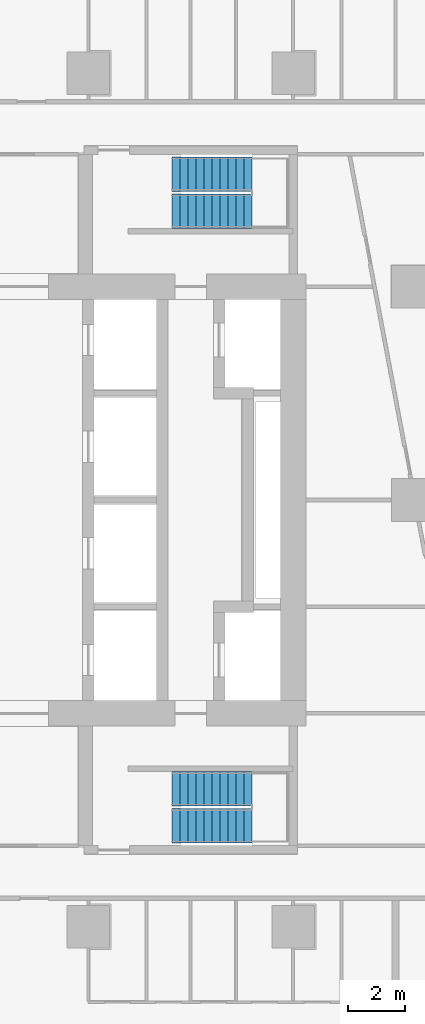
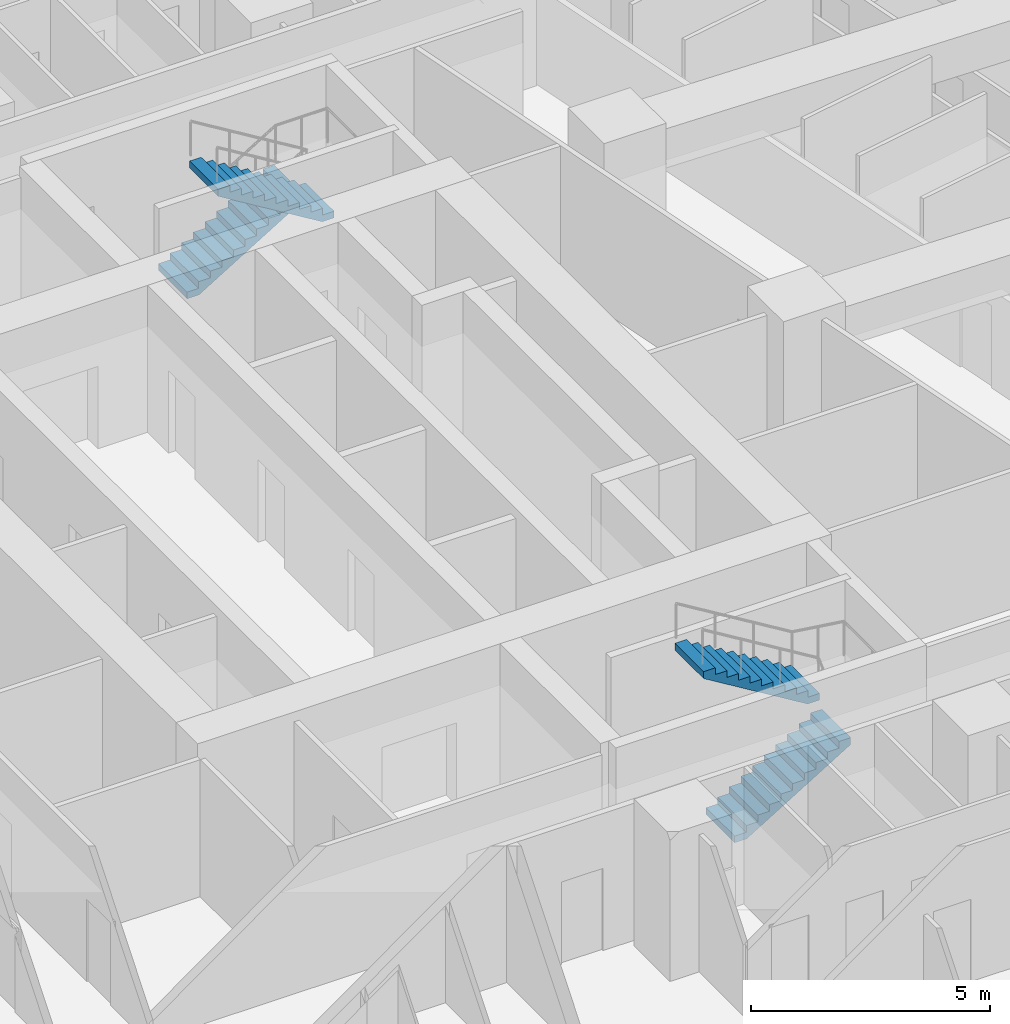
# One storey, part 13 of 15: 4 stair flights, 2 elements without a shape of their own.
"""IFC4 building model written with IfcOpenShell, lengths in metres."""

from ifc_helpers import new_model, si_unit, direction, frame, origin, place, context, subcontext, project, spatial, triangles, material, type_object, element, aggregate, save


model = new_model("IFC4")

# Units and contexts
model_context = context("Model", 3, precision=1e-05, world=origin(), true_north=direction((0.0, 1.0)))
body_context = subcontext(model_context, "Body", "Model", "MODEL_VIEW")
ifc_project = project(units=[si_unit("LENGTHUNIT", "METRE"), si_unit("AREAUNIT", "SQUARE_METRE"), si_unit("VOLUMEUNIT", "CUBIC_METRE"), si_unit("PLANEANGLEUNIT", "RADIAN"), si_unit("MASSUNIT", "GRAM", prefix="KILO")], contexts=[model_context])

# Site, building, storey
site_placement = place(None, origin())
site = spatial("IfcSite", under=ifc_project, at=site_placement, CompositionType="ELEMENT")
building_placement = place(site_placement, origin())
building = spatial("IfcBuilding", under=site, at=building_placement, Name="Sheger Commons Tower", CompositionType="ELEMENT")
storey_placement = place(building_placement, frame((0.0, 0.0, 143.300048828125)))
storey = spatial("IfcBuildingStorey", under=building, at=storey_placement, Name="L36", CompositionType="ELEMENT", Elevation=143.300048828125)

# Stair, stair flights
ifc_material_1 = material(Name="Concrete C35/45", Category="concrete")
stair_type = type_object("IfcStairType", Name="HALF-TURN STAIR 1200 RISE 3750", PredefinedType="HALF_TURN_STAIR", material=ifc_material_1)
stair_1_placement = place(storey_placement, origin())
stair_1 = element("IfcStair", 1, at=stair_1_placement, inside=storey, type_object=stair_type, Name="Stair S1 L36", PredefinedType="HALF_TURN_STAIR")
ifc_material_2 = material(Name="Concrete C35/45", Category="concrete")
stair_flight_type = type_object("IfcStairFlightType", Name="STAIR FLIGHT 1200 11 RISERS OF 170", PredefinedType="STRAIGHT", material=ifc_material_2)
stair_flight_1_placement = place(storey_placement, frame((24.550048828125, 11.050048828125, 0.0), z_axis=(0.0, 0.0, 1.0), x_axis=(1.0, 0.0, 0.0)))
stair_flight_1 = element("IfcStairFlight", 2, at=stair_flight_1_placement, type_object=stair_flight_type, Name="S1 flight 1", NumberOfRisers=11, NumberOfTreads=10, PredefinedType="STRAIGHT", RiserHeight=0.170454545, TreadLength=0.28, context=body_context, shape_type="Tessellation", body=[
    triangles([(0.0, 0.5999755859375, 0.0), (0.0, 0.5999755859375, 0.17041015625), (0.280029296875, 0.5999755859375, 0.17041015625), (0.280029296875, 0.5999755859375, 0.3408203125), (0.56005859375, 0.5999755859375, 0.3408203125), (0.56005859375, 0.5999755859375, 0.511474609375), (0.840087890625, 0.5999755859375, 0.511474609375), (0.840087890625, 0.5999755859375, 0.681884765625), (1.1201171875, 0.5999755859375, 0.681884765625), (1.1201171875, 0.5999755859375, 0.852294921875), (1.39990234375, 0.5999755859375, 0.852294921875), (1.39990234375, 0.5999755859375, 1.022705078125), (1.679931640625, 0.5999755859375, 1.022705078125), (1.679931640625, 0.5999755859375, 1.193115234375), (1.9599609375, 0.5999755859375, 1.193115234375), (1.9599609375, 0.5999755859375, 1.363525390625), (2.239990234375, 0.5999755859375, 1.363525390625), (2.239990234375, 0.5999755859375, 1.5341796875), (2.52001953125, 0.5999755859375, 1.5341796875), (2.52001953125, 0.5999755859375, 1.70458984375), (2.800048828125, 0.5999755859375, 1.70458984375), (2.800048828125, 0.5999755859375, 1.529052734375), (0.288330078125, 0.5999755859375, 0.0), (0.0, -0.5999755859375, 0.0), (0.0, -0.5999755859375, 0.17041015625), (0.280029296875, -0.5999755859375, 0.17041015625), (0.280029296875, -0.5999755859375, 0.3408203125), (0.56005859375, -0.5999755859375, 0.3408203125), (0.56005859375, -0.5999755859375, 0.511474609375), (0.840087890625, -0.5999755859375, 0.511474609375), (0.840087890625, -0.5999755859375, 0.681884765625), (1.1201171875, -0.5999755859375, 0.681884765625), (1.1201171875, -0.5999755859375, 0.852294921875), (1.39990234375, -0.5999755859375, 0.852294921875), (1.39990234375, -0.5999755859375, 1.022705078125), (1.679931640625, -0.5999755859375, 1.022705078125), (1.679931640625, -0.5999755859375, 1.193115234375), (1.9599609375, -0.5999755859375, 1.193115234375), (1.9599609375, -0.5999755859375, 1.363525390625), (2.239990234375, -0.5999755859375, 1.363525390625), (2.239990234375, -0.5999755859375, 1.5341796875), (2.52001953125, -0.5999755859375, 1.5341796875), (2.52001953125, -0.5999755859375, 1.70458984375), (2.800048828125, -0.5999755859375, 1.70458984375), (2.800048828125, -0.5999755859375, 1.529052734375), (0.288330078125, -0.5999755859375, 0.0), (0.0, 0.0, 0.085205078125), (0.1400146484375, 0.0, 0.17041015625), (0.280029296875, 0.0, 0.255615234375), (0.4200439453125, 0.0, 0.3408203125), (0.56005859375, 0.0, 0.4261474609375), (0.7000732421875, 0.0, 0.511474609375), (0.840087890625, 0.0, 0.5966796875), (0.9801025390625, 0.0, 0.681884765625), (1.1201171875, 0.0, 0.76708984375), (1.260009765625, 0.0, 0.852294921875), (1.39990234375, 0.0, 0.9375), (1.5399169921875, 0.0, 1.022705078125), (1.679931640625, 0.0, 1.10791015625), (1.8199462890625, 0.0, 1.193115234375), (1.9599609375, 0.0, 1.2783203125), (2.0999755859375, 0.0, 1.363525390625), (2.239990234375, 0.0, 1.4488525390625), (2.3800048828125, 0.0, 1.5341796875), (2.52001953125, 0.0, 1.619384765625), (2.6600341796875, 0.0, 1.70458984375), (2.800048828125, 0.0, 1.6168212890625), (1.544189453125, 0.0, 0.7645263671875), (0.1441650390625, 0.0, 0.0)], [[1, 22, 23], [24, 46, 45], [22, 20, 21], [45, 44, 43], [22, 19, 20], [45, 43, 42], [22, 18, 19], [45, 42, 41], [22, 17, 18], [45, 41, 40], [17, 15, 16], [40, 39, 38], [22, 15, 17], [45, 40, 38], [15, 13, 14], [38, 37, 36], [22, 13, 15], [45, 38, 36], [13, 11, 12], [36, 35, 34], [22, 11, 13], [45, 36, 34], [11, 9, 10], [34, 33, 32], [22, 9, 11], [45, 34, 32], [9, 7, 8], [32, 31, 30], [22, 7, 9], [45, 32, 30], [7, 5, 6], [30, 29, 28], [22, 5, 7], [45, 30, 28], [5, 3, 4], [28, 27, 26], [22, 3, 5], [45, 28, 26], [1, 3, 22], [24, 45, 26], [3, 1, 2], [26, 25, 24], [1, 47, 2], [2, 47, 25], [25, 47, 24], [24, 47, 1], [2, 48, 3], [3, 48, 26], [26, 48, 25], [25, 48, 2], [3, 49, 4], [4, 49, 27], [27, 49, 26], [26, 49, 3], [4, 50, 5], [5, 50, 28], [28, 50, 27], [27, 50, 4], [5, 51, 6], [6, 51, 29], [29, 51, 28], [28, 51, 5], [6, 52, 7], [7, 52, 30], [30, 52, 29], [29, 52, 6], [7, 53, 8], [8, 53, 31], [31, 53, 30], [30, 53, 7], [8, 54, 9], [9, 54, 32], [32, 54, 31], [31, 54, 8], [9, 55, 10], [10, 55, 33], [33, 55, 32], [32, 55, 9], [10, 56, 11], [11, 56, 34], [34, 56, 33], [33, 56, 10], [11, 57, 12], [12, 57, 35], [35, 57, 34], [34, 57, 11], [12, 58, 13], [13, 58, 36], [36, 58, 35], [35, 58, 12], [13, 59, 14], [14, 59, 37], [37, 59, 36], [36, 59, 13], [14, 60, 15], [15, 60, 38], [38, 60, 37], [37, 60, 14], [15, 61, 16], [16, 61, 39], [39, 61, 38], [38, 61, 15], [16, 62, 17], [17, 62, 40], [40, 62, 39], [39, 62, 16], [17, 63, 18], [18, 63, 41], [41, 63, 40], [40, 63, 17], [18, 64, 19], [19, 64, 42], [42, 64, 41], [41, 64, 18], [19, 65, 20], [20, 65, 43], [43, 65, 42], [42, 65, 19], [20, 66, 21], [21, 66, 44], [44, 66, 43], [43, 66, 20], [21, 67, 22], [22, 67, 45], [45, 67, 44], [44, 67, 21], [22, 68, 23], [23, 68, 46], [46, 68, 45], [45, 68, 22], [23, 69, 1], [1, 69, 24], [24, 69, 46], [46, 69, 23]], closed=True),
])
stair_flight_2_placement = place(storey_placement, frame((27.35009765625, 12.35009765625, 1.875), z_axis=(0.0, 0.0, 1.0), x_axis=(-1.0, 0.0, 0.0)))
stair_flight_2 = element("IfcStairFlight", 3, at=stair_flight_2_placement, type_object=stair_flight_type, Name="S1 flight 2", NumberOfRisers=11, NumberOfTreads=10, PredefinedType="STRAIGHT", RiserHeight=0.170454545, TreadLength=0.28, context=body_context, shape_type="Tessellation", body=[
    triangles([(0.0, 0.5999755859375, 0.0), (0.0, 0.5999755859375, 0.17041015625), (0.280029296875, 0.5999755859375, 0.17041015625), (0.280029296875, 0.5999755859375, 0.3408203125), (0.56005859375, 0.5999755859375, 0.3408203125), (0.56005859375, 0.5999755859375, 0.511474609375), (0.840087890625, 0.5999755859375, 0.511474609375), (0.840087890625, 0.5999755859375, 0.681884765625), (1.1201171875, 0.5999755859375, 0.681884765625), (1.1201171875, 0.5999755859375, 0.852294921875), (1.39990234375, 0.5999755859375, 0.852294921875), (1.39990234375, 0.5999755859375, 1.022705078125), (1.679931640625, 0.5999755859375, 1.022705078125), (1.679931640625, 0.5999755859375, 1.193115234375), (1.9599609375, 0.5999755859375, 1.193115234375), (1.9599609375, 0.5999755859375, 1.363525390625), (2.239990234375, 0.5999755859375, 1.363525390625), (2.239990234375, 0.5999755859375, 1.5341796875), (2.52001953125, 0.5999755859375, 1.5341796875), (2.52001953125, 0.5999755859375, 1.70458984375), (2.800048828125, 0.5999755859375, 1.70458984375), (2.800048828125, 0.5999755859375, 1.529052734375), (0.288330078125, 0.5999755859375, 0.0), (0.0, -0.5999755859375, 0.0), (0.0, -0.5999755859375, 0.17041015625), (0.280029296875, -0.5999755859375, 0.17041015625), (0.280029296875, -0.5999755859375, 0.3408203125), (0.56005859375, -0.5999755859375, 0.3408203125), (0.56005859375, -0.5999755859375, 0.511474609375), (0.840087890625, -0.5999755859375, 0.511474609375), (0.840087890625, -0.5999755859375, 0.681884765625), (1.1201171875, -0.5999755859375, 0.681884765625), (1.1201171875, -0.5999755859375, 0.852294921875), (1.39990234375, -0.5999755859375, 0.852294921875), (1.39990234375, -0.5999755859375, 1.022705078125), (1.679931640625, -0.5999755859375, 1.022705078125), (1.679931640625, -0.5999755859375, 1.193115234375), (1.9599609375, -0.5999755859375, 1.193115234375), (1.9599609375, -0.5999755859375, 1.363525390625), (2.239990234375, -0.5999755859375, 1.363525390625), (2.239990234375, -0.5999755859375, 1.5341796875), (2.52001953125, -0.5999755859375, 1.5341796875), (2.52001953125, -0.5999755859375, 1.70458984375), (2.800048828125, -0.5999755859375, 1.70458984375), (2.800048828125, -0.5999755859375, 1.529052734375), (0.288330078125, -0.5999755859375, 0.0), (0.0, 0.0, 0.085205078125), (0.1400146484375, 0.0, 0.17041015625), (0.280029296875, 0.0, 0.255615234375), (0.4200439453125, 0.0, 0.3408203125), (0.56005859375, 0.0, 0.4261474609375), (0.7000732421875, 0.0, 0.511474609375), (0.840087890625, 0.0, 0.5966796875), (0.9801025390625, 0.0, 0.681884765625), (1.1201171875, 0.0, 0.76708984375), (1.260009765625, 0.0, 0.852294921875), (1.39990234375, 0.0, 0.9375), (1.5399169921875, 0.0, 1.022705078125), (1.679931640625, 0.0, 1.10791015625), (1.8199462890625, 0.0, 1.193115234375), (1.9599609375, 0.0, 1.2783203125), (2.0999755859375, 0.0, 1.363525390625), (2.239990234375, 0.0, 1.4488525390625), (2.3800048828125, 0.0, 1.5341796875), (2.52001953125, 0.0, 1.619384765625), (2.6600341796875, 0.0, 1.70458984375), (2.800048828125, 0.0, 1.6168212890625), (1.544189453125, 0.0, 0.7645263671875), (0.1441650390625, 0.0, 0.0)], [[1, 22, 23], [24, 46, 45], [22, 20, 21], [45, 44, 43], [22, 19, 20], [45, 43, 42], [22, 18, 19], [45, 42, 41], [22, 17, 18], [45, 41, 40], [17, 15, 16], [40, 39, 38], [22, 15, 17], [45, 40, 38], [15, 13, 14], [38, 37, 36], [22, 13, 15], [45, 38, 36], [13, 11, 12], [36, 35, 34], [22, 11, 13], [45, 36, 34], [11, 9, 10], [34, 33, 32], [22, 9, 11], [45, 34, 32], [9, 7, 8], [32, 31, 30], [22, 7, 9], [45, 32, 30], [7, 5, 6], [30, 29, 28], [22, 5, 7], [45, 30, 28], [5, 3, 4], [28, 27, 26], [22, 3, 5], [45, 28, 26], [1, 3, 22], [24, 45, 26], [3, 1, 2], [26, 25, 24], [1, 47, 2], [2, 47, 25], [25, 47, 24], [24, 47, 1], [2, 48, 3], [3, 48, 26], [26, 48, 25], [25, 48, 2], [3, 49, 4], [4, 49, 27], [27, 49, 26], [26, 49, 3], [4, 50, 5], [5, 50, 28], [28, 50, 27], [27, 50, 4], [5, 51, 6], [6, 51, 29], [29, 51, 28], [28, 51, 5], [6, 52, 7], [7, 52, 30], [30, 52, 29], [29, 52, 6], [7, 53, 8], [8, 53, 31], [31, 53, 30], [30, 53, 7], [8, 54, 9], [9, 54, 32], [32, 54, 31], [31, 54, 8], [9, 55, 10], [10, 55, 33], [33, 55, 32], [32, 55, 9], [10, 56, 11], [11, 56, 34], [34, 56, 33], [33, 56, 10], [11, 57, 12], [12, 57, 35], [35, 57, 34], [34, 57, 11], [12, 58, 13], [13, 58, 36], [36, 58, 35], [35, 58, 12], [13, 59, 14], [14, 59, 37], [37, 59, 36], [36, 59, 13], [14, 60, 15], [15, 60, 38], [38, 60, 37], [37, 60, 14], [15, 61, 16], [16, 61, 39], [39, 61, 38], [38, 61, 15], [16, 62, 17], [17, 62, 40], [40, 62, 39], [39, 62, 16], [17, 63, 18], [18, 63, 41], [41, 63, 40], [40, 63, 17], [18, 64, 19], [19, 64, 42], [42, 64, 41], [41, 64, 18], [19, 65, 20], [20, 65, 43], [43, 65, 42], [42, 65, 19], [20, 66, 21], [21, 66, 44], [44, 66, 43], [43, 66, 20], [21, 67, 22], [22, 67, 45], [45, 67, 44], [44, 67, 21], [22, 68, 23], [23, 68, 46], [46, 68, 45], [45, 68, 22], [23, 69, 1], [1, 69, 24], [24, 69, 46], [46, 69, 23]], closed=True),
])
aggregate(stair_1, [stair_flight_1, stair_flight_2])

stair_2_placement = place(storey_placement, origin())
stair_2 = element("IfcStair", 4, at=stair_2_placement, inside=storey, type_object=stair_type, Name="Stair S2 L36", PredefinedType="HALF_TURN_STAIR")
stair_flight_3_placement = place(storey_placement, frame((24.550048828125, 33.949951171875, 0.0), z_axis=(0.0, 0.0, 1.0), x_axis=(1.0, 0.0, 0.0)))
stair_flight_3 = element("IfcStairFlight", 5, at=stair_flight_3_placement, type_object=stair_flight_type, Name="S2 flight 1", NumberOfRisers=11, NumberOfTreads=10, PredefinedType="STRAIGHT", RiserHeight=0.170454545, TreadLength=0.28, context=body_context, shape_type="Tessellation", body=[
    triangles([(0.0, 0.5999755859375, 0.0), (0.0, 0.5999755859375, 0.17041015625), (0.280029296875, 0.5999755859375, 0.17041015625), (0.280029296875, 0.5999755859375, 0.3408203125), (0.56005859375, 0.5999755859375, 0.3408203125), (0.56005859375, 0.5999755859375, 0.511474609375), (0.840087890625, 0.5999755859375, 0.511474609375), (0.840087890625, 0.5999755859375, 0.681884765625), (1.1201171875, 0.5999755859375, 0.681884765625), (1.1201171875, 0.5999755859375, 0.852294921875), (1.39990234375, 0.5999755859375, 0.852294921875), (1.39990234375, 0.5999755859375, 1.022705078125), (1.679931640625, 0.5999755859375, 1.022705078125), (1.679931640625, 0.5999755859375, 1.193115234375), (1.9599609375, 0.5999755859375, 1.193115234375), (1.9599609375, 0.5999755859375, 1.363525390625), (2.239990234375, 0.5999755859375, 1.363525390625), (2.239990234375, 0.5999755859375, 1.5341796875), (2.52001953125, 0.5999755859375, 1.5341796875), (2.52001953125, 0.5999755859375, 1.70458984375), (2.800048828125, 0.5999755859375, 1.70458984375), (2.800048828125, 0.5999755859375, 1.529052734375), (0.288330078125, 0.5999755859375, 0.0), (0.0, -0.5999755859375, 0.0), (0.0, -0.5999755859375, 0.17041015625), (0.280029296875, -0.5999755859375, 0.17041015625), (0.280029296875, -0.5999755859375, 0.3408203125), (0.56005859375, -0.5999755859375, 0.3408203125), (0.56005859375, -0.5999755859375, 0.511474609375), (0.840087890625, -0.5999755859375, 0.511474609375), (0.840087890625, -0.5999755859375, 0.681884765625), (1.1201171875, -0.5999755859375, 0.681884765625), (1.1201171875, -0.5999755859375, 0.852294921875), (1.39990234375, -0.5999755859375, 0.852294921875), (1.39990234375, -0.5999755859375, 1.022705078125), (1.679931640625, -0.5999755859375, 1.022705078125), (1.679931640625, -0.5999755859375, 1.193115234375), (1.9599609375, -0.5999755859375, 1.193115234375), (1.9599609375, -0.5999755859375, 1.363525390625), (2.239990234375, -0.5999755859375, 1.363525390625), (2.239990234375, -0.5999755859375, 1.5341796875), (2.52001953125, -0.5999755859375, 1.5341796875), (2.52001953125, -0.5999755859375, 1.70458984375), (2.800048828125, -0.5999755859375, 1.70458984375), (2.800048828125, -0.5999755859375, 1.529052734375), (0.288330078125, -0.5999755859375, 0.0), (0.0, 0.0, 0.085205078125), (0.1400146484375, 0.0, 0.17041015625), (0.280029296875, 0.0, 0.255615234375), (0.4200439453125, 0.0, 0.3408203125), (0.56005859375, 0.0, 0.4261474609375), (0.7000732421875, 0.0, 0.511474609375), (0.840087890625, 0.0, 0.5966796875), (0.9801025390625, 0.0, 0.681884765625), (1.1201171875, 0.0, 0.76708984375), (1.260009765625, 0.0, 0.852294921875), (1.39990234375, 0.0, 0.9375), (1.5399169921875, 0.0, 1.022705078125), (1.679931640625, 0.0, 1.10791015625), (1.8199462890625, 0.0, 1.193115234375), (1.9599609375, 0.0, 1.2783203125), (2.0999755859375, 0.0, 1.363525390625), (2.239990234375, 0.0, 1.4488525390625), (2.3800048828125, 0.0, 1.5341796875), (2.52001953125, 0.0, 1.619384765625), (2.6600341796875, 0.0, 1.70458984375), (2.800048828125, 0.0, 1.6168212890625), (1.544189453125, 0.0, 0.7645263671875), (0.1441650390625, 0.0, 0.0)], [[1, 22, 23], [24, 46, 45], [22, 20, 21], [45, 44, 43], [22, 19, 20], [45, 43, 42], [22, 18, 19], [45, 42, 41], [22, 17, 18], [45, 41, 40], [17, 15, 16], [40, 39, 38], [22, 15, 17], [45, 40, 38], [15, 13, 14], [38, 37, 36], [22, 13, 15], [45, 38, 36], [13, 11, 12], [36, 35, 34], [22, 11, 13], [45, 36, 34], [11, 9, 10], [34, 33, 32], [22, 9, 11], [45, 34, 32], [9, 7, 8], [32, 31, 30], [22, 7, 9], [45, 32, 30], [7, 5, 6], [30, 29, 28], [22, 5, 7], [45, 30, 28], [5, 3, 4], [28, 27, 26], [22, 3, 5], [45, 28, 26], [1, 3, 22], [24, 45, 26], [3, 1, 2], [26, 25, 24], [1, 47, 2], [2, 47, 25], [25, 47, 24], [24, 47, 1], [2, 48, 3], [3, 48, 26], [26, 48, 25], [25, 48, 2], [3, 49, 4], [4, 49, 27], [27, 49, 26], [26, 49, 3], [4, 50, 5], [5, 50, 28], [28, 50, 27], [27, 50, 4], [5, 51, 6], [6, 51, 29], [29, 51, 28], [28, 51, 5], [6, 52, 7], [7, 52, 30], [30, 52, 29], [29, 52, 6], [7, 53, 8], [8, 53, 31], [31, 53, 30], [30, 53, 7], [8, 54, 9], [9, 54, 32], [32, 54, 31], [31, 54, 8], [9, 55, 10], [10, 55, 33], [33, 55, 32], [32, 55, 9], [10, 56, 11], [11, 56, 34], [34, 56, 33], [33, 56, 10], [11, 57, 12], [12, 57, 35], [35, 57, 34], [34, 57, 11], [12, 58, 13], [13, 58, 36], [36, 58, 35], [35, 58, 12], [13, 59, 14], [14, 59, 37], [37, 59, 36], [36, 59, 13], [14, 60, 15], [15, 60, 38], [38, 60, 37], [37, 60, 14], [15, 61, 16], [16, 61, 39], [39, 61, 38], [38, 61, 15], [16, 62, 17], [17, 62, 40], [40, 62, 39], [39, 62, 16], [17, 63, 18], [18, 63, 41], [41, 63, 40], [40, 63, 17], [18, 64, 19], [19, 64, 42], [42, 64, 41], [41, 64, 18], [19, 65, 20], [20, 65, 43], [43, 65, 42], [42, 65, 19], [20, 66, 21], [21, 66, 44], [44, 66, 43], [43, 66, 20], [21, 67, 22], [22, 67, 45], [45, 67, 44], [44, 67, 21], [22, 68, 23], [23, 68, 46], [46, 68, 45], [45, 68, 22], [23, 69, 1], [1, 69, 24], [24, 69, 46], [46, 69, 23]], closed=True),
])
stair_flight_4_placement = place(storey_placement, frame((27.35009765625, 32.64990234375, 1.875), z_axis=(0.0, 0.0, 1.0), x_axis=(-1.0, 0.0, 0.0)))
stair_flight_4 = element("IfcStairFlight", 6, at=stair_flight_4_placement, type_object=stair_flight_type, Name="S2 flight 2", NumberOfRisers=11, NumberOfTreads=10, PredefinedType="STRAIGHT", RiserHeight=0.170454545, TreadLength=0.28, context=body_context, shape_type="Tessellation", body=[
    triangles([(0.0, 0.5999755859375, 0.0), (0.0, 0.5999755859375, 0.17041015625), (0.280029296875, 0.5999755859375, 0.17041015625), (0.280029296875, 0.5999755859375, 0.3408203125), (0.56005859375, 0.5999755859375, 0.3408203125), (0.56005859375, 0.5999755859375, 0.511474609375), (0.840087890625, 0.5999755859375, 0.511474609375), (0.840087890625, 0.5999755859375, 0.681884765625), (1.1201171875, 0.5999755859375, 0.681884765625), (1.1201171875, 0.5999755859375, 0.852294921875), (1.39990234375, 0.5999755859375, 0.852294921875), (1.39990234375, 0.5999755859375, 1.022705078125), (1.679931640625, 0.5999755859375, 1.022705078125), (1.679931640625, 0.5999755859375, 1.193115234375), (1.9599609375, 0.5999755859375, 1.193115234375), (1.9599609375, 0.5999755859375, 1.363525390625), (2.239990234375, 0.5999755859375, 1.363525390625), (2.239990234375, 0.5999755859375, 1.5341796875), (2.52001953125, 0.5999755859375, 1.5341796875), (2.52001953125, 0.5999755859375, 1.70458984375), (2.800048828125, 0.5999755859375, 1.70458984375), (2.800048828125, 0.5999755859375, 1.529052734375), (0.288330078125, 0.5999755859375, 0.0), (0.0, -0.5999755859375, 0.0), (0.0, -0.5999755859375, 0.17041015625), (0.280029296875, -0.5999755859375, 0.17041015625), (0.280029296875, -0.5999755859375, 0.3408203125), (0.56005859375, -0.5999755859375, 0.3408203125), (0.56005859375, -0.5999755859375, 0.511474609375), (0.840087890625, -0.5999755859375, 0.511474609375), (0.840087890625, -0.5999755859375, 0.681884765625), (1.1201171875, -0.5999755859375, 0.681884765625), (1.1201171875, -0.5999755859375, 0.852294921875), (1.39990234375, -0.5999755859375, 0.852294921875), (1.39990234375, -0.5999755859375, 1.022705078125), (1.679931640625, -0.5999755859375, 1.022705078125), (1.679931640625, -0.5999755859375, 1.193115234375), (1.9599609375, -0.5999755859375, 1.193115234375), (1.9599609375, -0.5999755859375, 1.363525390625), (2.239990234375, -0.5999755859375, 1.363525390625), (2.239990234375, -0.5999755859375, 1.5341796875), (2.52001953125, -0.5999755859375, 1.5341796875), (2.52001953125, -0.5999755859375, 1.70458984375), (2.800048828125, -0.5999755859375, 1.70458984375), (2.800048828125, -0.5999755859375, 1.529052734375), (0.288330078125, -0.5999755859375, 0.0), (0.0, 0.0, 0.085205078125), (0.1400146484375, 0.0, 0.17041015625), (0.280029296875, 0.0, 0.255615234375), (0.4200439453125, 0.0, 0.3408203125), (0.56005859375, 0.0, 0.4261474609375), (0.7000732421875, 0.0, 0.511474609375), (0.840087890625, 0.0, 0.5966796875), (0.9801025390625, 0.0, 0.681884765625), (1.1201171875, 0.0, 0.76708984375), (1.260009765625, 0.0, 0.852294921875), (1.39990234375, 0.0, 0.9375), (1.5399169921875, 0.0, 1.022705078125), (1.679931640625, 0.0, 1.10791015625), (1.8199462890625, 0.0, 1.193115234375), (1.9599609375, 0.0, 1.2783203125), (2.0999755859375, 0.0, 1.363525390625), (2.239990234375, 0.0, 1.4488525390625), (2.3800048828125, 0.0, 1.5341796875), (2.52001953125, 0.0, 1.619384765625), (2.6600341796875, 0.0, 1.70458984375), (2.800048828125, 0.0, 1.6168212890625), (1.544189453125, 0.0, 0.7645263671875), (0.1441650390625, 0.0, 0.0)], [[1, 22, 23], [24, 46, 45], [22, 20, 21], [45, 44, 43], [22, 19, 20], [45, 43, 42], [22, 18, 19], [45, 42, 41], [22, 17, 18], [45, 41, 40], [17, 15, 16], [40, 39, 38], [22, 15, 17], [45, 40, 38], [15, 13, 14], [38, 37, 36], [22, 13, 15], [45, 38, 36], [13, 11, 12], [36, 35, 34], [22, 11, 13], [45, 36, 34], [11, 9, 10], [34, 33, 32], [22, 9, 11], [45, 34, 32], [9, 7, 8], [32, 31, 30], [22, 7, 9], [45, 32, 30], [7, 5, 6], [30, 29, 28], [22, 5, 7], [45, 30, 28], [5, 3, 4], [28, 27, 26], [22, 3, 5], [45, 28, 26], [1, 3, 22], [24, 45, 26], [3, 1, 2], [26, 25, 24], [1, 47, 2], [2, 47, 25], [25, 47, 24], [24, 47, 1], [2, 48, 3], [3, 48, 26], [26, 48, 25], [25, 48, 2], [3, 49, 4], [4, 49, 27], [27, 49, 26], [26, 49, 3], [4, 50, 5], [5, 50, 28], [28, 50, 27], [27, 50, 4], [5, 51, 6], [6, 51, 29], [29, 51, 28], [28, 51, 5], [6, 52, 7], [7, 52, 30], [30, 52, 29], [29, 52, 6], [7, 53, 8], [8, 53, 31], [31, 53, 30], [30, 53, 7], [8, 54, 9], [9, 54, 32], [32, 54, 31], [31, 54, 8], [9, 55, 10], [10, 55, 33], [33, 55, 32], [32, 55, 9], [10, 56, 11], [11, 56, 34], [34, 56, 33], [33, 56, 10], [11, 57, 12], [12, 57, 35], [35, 57, 34], [34, 57, 11], [12, 58, 13], [13, 58, 36], [36, 58, 35], [35, 58, 12], [13, 59, 14], [14, 59, 37], [37, 59, 36], [36, 59, 13], [14, 60, 15], [15, 60, 38], [38, 60, 37], [37, 60, 14], [15, 61, 16], [16, 61, 39], [39, 61, 38], [38, 61, 15], [16, 62, 17], [17, 62, 40], [40, 62, 39], [39, 62, 16], [17, 63, 18], [18, 63, 41], [41, 63, 40], [40, 63, 17], [18, 64, 19], [19, 64, 42], [42, 64, 41], [41, 64, 18], [19, 65, 20], [20, 65, 43], [43, 65, 42], [42, 65, 19], [20, 66, 21], [21, 66, 44], [44, 66, 43], [43, 66, 20], [21, 67, 22], [22, 67, 45], [45, 67, 44], [44, 67, 21], [22, 68, 23], [23, 68, 46], [46, 68, 45], [45, 68, 22], [23, 69, 1], [1, 69, 24], [24, 69, 46], [46, 69, 23]], closed=True),
])
aggregate(stair_2, [stair_flight_3, stair_flight_4])

save(model, "model.ifc")
